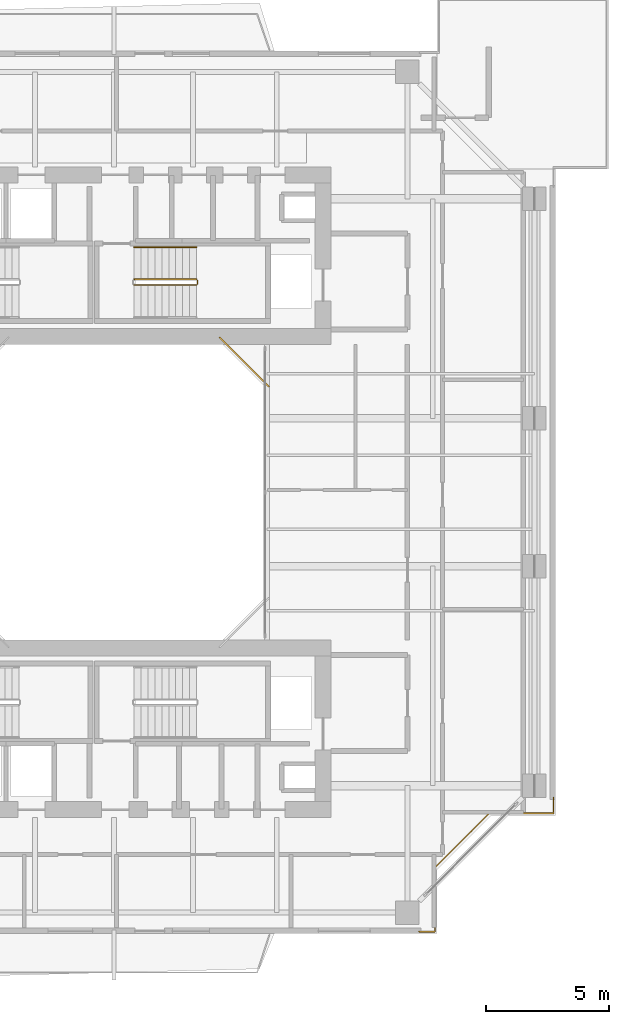
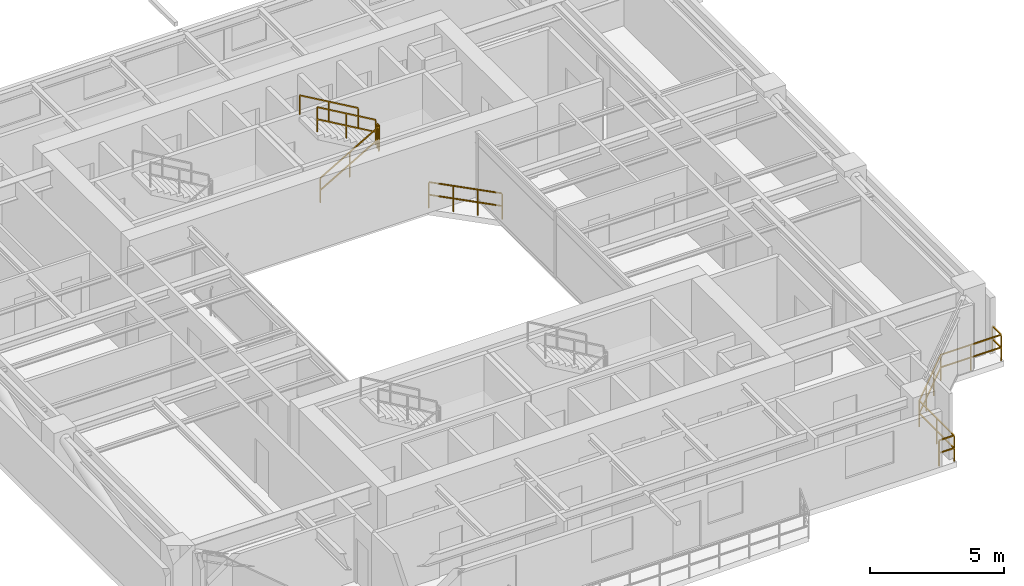
# One storey, part 13 of 14: 6 railings.
"""IFC4 building model written with IfcOpenShell, lengths in metres."""

from ifc_helpers import new_model, si_unit, direction, frame, origin, origin_2d, place, context, subcontext, project, spatial, rectangle, extrude, material, type_object, element, save


model = new_model("IFC4")

# Units and contexts
model_context = context("Model", 3, precision=1e-05, world=origin(), true_north=direction((0.0, 1.0)))
body_context = subcontext(model_context, "Body", "Model", "MODEL_VIEW")
ifc_project = project(units=[si_unit("LENGTHUNIT", "METRE"), si_unit("AREAUNIT", "SQUARE_METRE"), si_unit("VOLUMEUNIT", "CUBIC_METRE"), si_unit("PLANEANGLEUNIT", "RADIAN"), si_unit("MASSUNIT", "GRAM", prefix="KILO"), si_unit("THERMODYNAMICTEMPERATUREUNIT", "KELVIN"), si_unit("POWERUNIT", "WATT")], contexts=[model_context])

# Site, building, storey
site_placement = place(None, origin())
site = spatial("IfcSite", under=ifc_project, at=site_placement, CompositionType="ELEMENT")
building_placement = place(site_placement, origin())
building = spatial("IfcBuilding", under=site, at=building_placement, Name="Qiaomeng Ring Towers", CompositionType="ELEMENT")
storey_placement = place(building_placement, frame((0.0, 0.0, 173.0)))
storey = spatial("IfcBuildingStorey", under=building, at=storey_placement, Name="L50", CompositionType="ELEMENT", Elevation=173.0)

# Railings
ifc_material_1 = material(Name="Low-E pale-green laminated safety glass", Category="glass")
railing_type_1 = type_object("IfcRailingType", Name="ARC-RL-BAL1", PredefinedType="BALUSTRADE", material=ifc_material_1)
railing_1_placement = place(storey_placement, frame((25.280029296875, 27.280029296875, 0.0)))
element("IfcRailing", 1, at=railing_1_placement, inside=storey, type_object=railing_type_1, Name="L50 Balustrade ARC-BAL-WELL1-L50-2", PredefinedType="BALUSTRADE", context=body_context, shape_type="SweptSolid", body=[
    extrude(rectangle(XDim=0.048095703125, YDim=0.048095703125, at=origin_2d()), frame((0.0, 0.0, 1.17578125), z_axis=(-0.707106781187, 0.707106781187, 0.0), x_axis=(-0.707106781187, -0.707106781187, 0.0)), (0.0, 0.0, 1.0), 2.828369140625),
    extrude(rectangle(XDim=0.048095703125, YDim=0.048095703125, at=origin_2d()), frame((0.0, 0.0, 0.60009765625), z_axis=(-0.707106781187, 0.707106781187, 0.0), x_axis=(-0.707106781187, -0.707106781187, 0.0)), (0.0, 0.0, 1.0), 2.828369140625),
    extrude(rectangle(XDim=0.0419921875, YDim=0.0419921875, at=origin_2d()), origin(), (0.0, 0.0, 1.0), 1.15185546875),
    extrude(rectangle(XDim=0.0419921875, YDim=0.0419921875, at=origin_2d()), frame((-0.666748046875, 0.666748046875, 0.0)), (0.0, 0.0, 1.0), 1.15185546875),
    extrude(rectangle(XDim=0.0419921875, YDim=0.0419921875, at=origin_2d()), frame((-1.333251953125, 1.333251953125, 0.0)), (0.0, 0.0, 1.0), 1.15185546875),
    extrude(rectangle(XDim=0.0419921875, YDim=0.0419921875, at=origin_2d()), frame((-2.0, 2.0, 0.0)), (0.0, 0.0, 1.0), 1.15185546875),
])
railing_2_placement = place(storey_placement, frame((31.3701171875, 5.179931640625, 0.0)))
element("IfcRailing", 2, at=railing_2_placement, inside=storey, type_object=railing_type_1, Name="L50 Balustrade ARC-BAL-NOTCH1-L50-SE", PredefinedType="BALUSTRADE", context=body_context, shape_type="SweptSolid", body=[
    extrude(rectangle(XDim=0.048095703125, YDim=0.048095703125, at=origin_2d()), frame((0.0, 0.0, 1.17578125), z_axis=(1.0, 0.0, 0.0), x_axis=(0.0, 1.0, 0.0)), (0.0, 0.0, 1.0), 0.64990234375),
    extrude(rectangle(XDim=0.048095703125, YDim=0.048095703125, at=origin_2d()), frame((0.0, 0.0, 0.60009765625), z_axis=(1.0, 0.0, 0.0), x_axis=(0.0, 1.0, 0.0)), (0.0, 0.0, 1.0), 0.64990234375),
    extrude(rectangle(XDim=0.048095703125, YDim=0.048095703125, at=origin_2d()), frame((0.64990234375, 0.0, 1.17578125), z_axis=(0.0, 1.0, 0.0), x_axis=(-1.0, 0.0, 0.0)), (0.0, 0.0, 1.0), 2.60009765625),
    extrude(rectangle(XDim=0.048095703125, YDim=0.048095703125, at=origin_2d()), frame((0.64990234375, 0.0, 0.60009765625), z_axis=(0.0, 1.0, 0.0), x_axis=(-1.0, 0.0, 0.0)), (0.0, 0.0, 1.0), 2.60009765625),
    extrude(rectangle(XDim=0.048095703125, YDim=0.048095703125, at=origin_2d()), frame((0.64990234375, 2.60009765625, 1.17578125), z_axis=(0.707106781187, 0.707106781187, 0.0), x_axis=(-0.707106781187, 0.707106781187, 0.0)), (0.0, 0.0, 1.0), 3.111083984375),
    extrude(rectangle(XDim=0.048095703125, YDim=0.048095703125, at=origin_2d()), frame((0.64990234375, 2.60009765625, 0.60009765625), z_axis=(0.707106781187, 0.707106781187, 0.0), x_axis=(-0.707106781187, 0.707106781187, 0.0)), (0.0, 0.0, 1.0), 3.111083984375),
    extrude(rectangle(XDim=0.048095703125, YDim=0.048095703125, at=origin_2d()), frame((2.849853515625, 4.800048828125, 1.17578125), z_axis=(1.0, 0.0, 0.0), x_axis=(0.0, 1.0, 0.0)), (0.0, 0.0, 1.0), 2.60009765625),
    extrude(rectangle(XDim=0.048095703125, YDim=0.048095703125, at=origin_2d()), frame((2.849853515625, 4.800048828125, 0.60009765625), z_axis=(1.0, 0.0, 0.0), x_axis=(0.0, 1.0, 0.0)), (0.0, 0.0, 1.0), 2.60009765625),
    extrude(rectangle(XDim=0.048095703125, YDim=0.048095703125, at=origin_2d()), frame((5.449951171875, 4.800048828125, 1.17578125), z_axis=(0.0, 1.0, 0.0), x_axis=(-1.0, 0.0, 0.0)), (0.0, 0.0, 1.0), 0.64990234375),
    extrude(rectangle(XDim=0.048095703125, YDim=0.048095703125, at=origin_2d()), frame((5.449951171875, 4.800048828125, 0.60009765625), z_axis=(0.0, 1.0, 0.0), x_axis=(-1.0, 0.0, 0.0)), (0.0, 0.0, 1.0), 0.64990234375),
    extrude(rectangle(XDim=0.0419921875, YDim=0.0419921875, at=origin_2d()), origin(), (0.0, 0.0, 1.0), 1.15185546875),
    extrude(rectangle(XDim=0.0419921875, YDim=0.0419921875, at=origin_2d()), frame((0.64990234375, 0.0, 0.0)), (0.0, 0.0, 1.0), 1.15185546875),
    extrude(rectangle(XDim=0.0419921875, YDim=0.0419921875, at=origin_2d()), frame((0.64990234375, 1.300048828125, 0.0)), (0.0, 0.0, 1.0), 1.15185546875),
    extrude(rectangle(XDim=0.0419921875, YDim=0.0419921875, at=origin_2d()), frame((0.64990234375, 2.60009765625, 0.0)), (0.0, 0.0, 1.0), 1.15185546875),
    extrude(rectangle(XDim=0.0419921875, YDim=0.0419921875, at=origin_2d()), frame((1.38330078125, 3.33349609375, 0.0)), (0.0, 0.0, 1.0), 1.15185546875),
    extrude(rectangle(XDim=0.0419921875, YDim=0.0419921875, at=origin_2d()), frame((2.116455078125, 4.066650390625, 0.0)), (0.0, 0.0, 1.0), 1.15185546875),
    extrude(rectangle(XDim=0.0419921875, YDim=0.0419921875, at=origin_2d()), frame((2.849853515625, 4.800048828125, 0.0)), (0.0, 0.0, 1.0), 1.15185546875),
    extrude(rectangle(XDim=0.0419921875, YDim=0.0419921875, at=origin_2d()), frame((4.14990234375, 4.800048828125, 0.0)), (0.0, 0.0, 1.0), 1.15185546875),
    extrude(rectangle(XDim=0.0419921875, YDim=0.0419921875, at=origin_2d()), frame((5.449951171875, 4.800048828125, 0.0)), (0.0, 0.0, 1.0), 1.15185546875),
    extrude(rectangle(XDim=0.0419921875, YDim=0.0419921875, at=origin_2d()), frame((5.449951171875, 5.449951171875, 0.0)), (0.0, 0.0, 1.0), 1.15185546875),
])
ifc_material_2 = material(Name="Galvanised steel", Category="steel")
railing_type_2 = type_object("IfcRailingType", Name="ARC-RL-GUARD", PredefinedType="GUARDRAIL", material=ifc_material_2)
railing_3_placement = place(storey_placement, frame((19.820068359375, 31.39990234375, 0.16259765625)))
element("IfcRailing", 3, at=railing_3_placement, inside=storey, type_object=railing_type_2, Name="L50 ST2 stair guard 1", PredefinedType="GUARDRAIL", context=body_context, shape_type="SweptSolid", body=[
    extrude(rectangle(XDim=0.048095703125, YDim=0.048095703125, at=origin_2d()), frame((0.0, 0.0, 1.1259765625), z_axis=(0.864913338283, 0.0, 0.50192122615), x_axis=(0.0, 1.0, 0.0)), (0.0, 0.0, 1.0), 2.91357421875),
    extrude(rectangle(XDim=0.048095703125, YDim=0.048095703125, at=origin_2d()), frame((0.0, 0.0, 0.574951171875), z_axis=(0.864913338283, 0.0, 0.50192122615), x_axis=(0.0, 1.0, 0.0)), (0.0, 0.0, 1.0), 2.91357421875),
    extrude(rectangle(XDim=0.0419921875, YDim=0.0419921875, at=origin_2d()), origin(), (0.0, 0.0, 1.0), 1.101806640625),
    extrude(rectangle(XDim=0.0419921875, YDim=0.0419921875, at=origin_2d()), frame((1.260009765625, 0.0, 0.731201171875)), (0.0, 0.0, 1.0), 1.101806640625),
    extrude(rectangle(XDim=0.0419921875, YDim=0.0419921875, at=origin_2d()), frame((2.52001953125, 0.0, 1.46240234375)), (0.0, 0.0, 1.0), 1.101806640625),
])
railing_4_placement = place(storey_placement, frame((22.389892578125, 31.449951171875, 1.625)))
element("IfcRailing", 4, at=railing_4_placement, inside=storey, type_object=railing_type_2, Name="L50 ST2 stair guard 2", PredefinedType="GUARDRAIL", context=body_context, shape_type="SweptSolid", body=[
    extrude(rectangle(XDim=0.048095703125, YDim=0.048095703125, at=origin_2d()), frame((0.0, 0.0, 1.1259765625), z_axis=(0.0, 1.0, 0.0), x_axis=(-1.0, 0.0, 0.0)), (0.0, 0.0, 1.0), 0.14013671875),
    extrude(rectangle(XDim=0.048095703125, YDim=0.048095703125, at=origin_2d()), frame((0.0, 0.0, 0.574951171875), z_axis=(0.0, 1.0, 0.0), x_axis=(-1.0, 0.0, 0.0)), (0.0, 0.0, 1.0), 0.14013671875),
    extrude(rectangle(XDim=0.0419921875, YDim=0.0419921875, at=origin_2d()), origin(), (0.0, 0.0, 1.0), 1.101806640625),
    extrude(rectangle(XDim=0.0419921875, YDim=0.0419921875, at=origin_2d()), frame((0.0, 0.14013671875, 0.0)), (0.0, 0.0, 1.0), 1.101806640625),
])
railing_5_placement = place(storey_placement, frame((22.340087890625, 31.639892578125, 1.78759765625)))
element("IfcRailing", 5, at=railing_5_placement, inside=storey, type_object=railing_type_2, Name="L50 ST2 stair guard 3", PredefinedType="GUARDRAIL", context=body_context, shape_type="SweptSolid", body=[
    extrude(rectangle(XDim=0.048095703125, YDim=0.048095703125, at=origin_2d()), frame((0.0, 0.0, 1.1259765625), z_axis=(-0.864913338283, 0.0, 0.50192122615), x_axis=(0.0, -1.0, 0.0)), (0.0, 0.0, 1.0), 2.91357421875),
    extrude(rectangle(XDim=0.048095703125, YDim=0.048095703125, at=origin_2d()), frame((0.0, 0.0, 0.574951171875), z_axis=(-0.864913338283, 0.0, 0.50192122615), x_axis=(0.0, -1.0, 0.0)), (0.0, 0.0, 1.0), 2.91357421875),
    extrude(rectangle(XDim=0.0419921875, YDim=0.0419921875, at=origin_2d()), origin(), (0.0, 0.0, 1.0), 1.101806640625),
    extrude(rectangle(XDim=0.0419921875, YDim=0.0419921875, at=origin_2d()), frame((-1.260009765625, 0.0, 0.731201171875)), (0.0, 0.0, 1.0), 1.101806640625),
    extrude(rectangle(XDim=0.0419921875, YDim=0.0419921875, at=origin_2d()), frame((-2.52001953125, 0.0, 1.46240234375)), (0.0, 0.0, 1.0), 1.101806640625),
])
ifc_material_3 = material(Name="Stainless steel 316", Category="steel")
railing_type_3 = type_object("IfcRailingType", Name="ARC-RL-HAND", PredefinedType="HANDRAIL", material=ifc_material_3)
railing_6_placement = place(storey_placement, frame((22.340087890625, 32.93994140625, 1.78759765625)))
element("IfcRailing", 6, at=railing_6_placement, inside=storey, type_object=railing_type_3, Name="L50 ST2 stair handrail 2", PredefinedType="HANDRAIL", context=body_context, shape_type="SweptSolid", body=[
    extrude(rectangle(XDim=0.048095703125, YDim=0.048095703125, at=origin_2d()), frame((0.0, 0.0, 0.8759765625), z_axis=(-0.864913338283, 0.0, 0.50192122615), x_axis=(0.0, -1.0, 0.0)), (0.0, 0.0, 1.0), 2.91357421875),
    extrude(rectangle(XDim=0.0419921875, YDim=0.0419921875, at=origin_2d()), origin(), (0.0, 0.0, 1.0), 0.851806640625),
    extrude(rectangle(XDim=0.0419921875, YDim=0.0419921875, at=origin_2d()), frame((-1.260009765625, 0.0, 0.731201171875)), (0.0, 0.0, 1.0), 0.851806640625),
    extrude(rectangle(XDim=0.0419921875, YDim=0.0419921875, at=origin_2d()), frame((-2.52001953125, 0.0, 1.46240234375)), (0.0, 0.0, 1.0), 0.851806640625),
])

save(model, "model.ifc")
